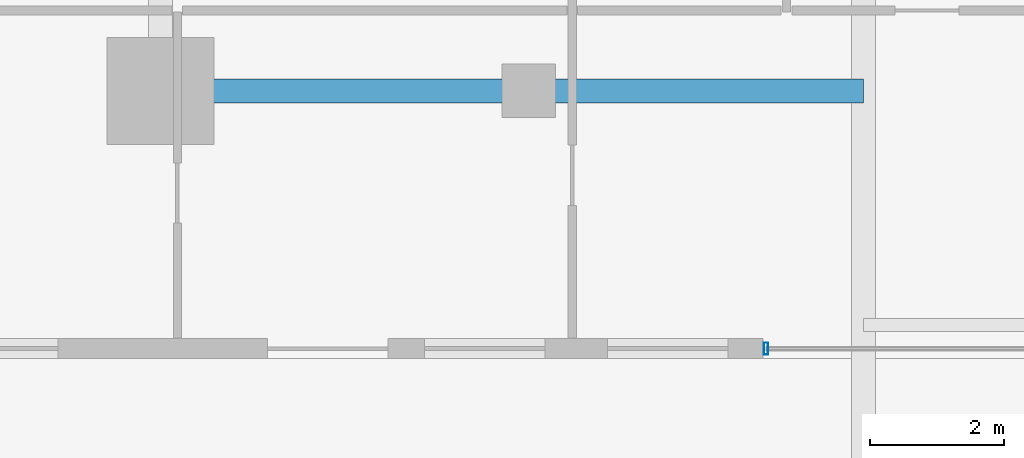
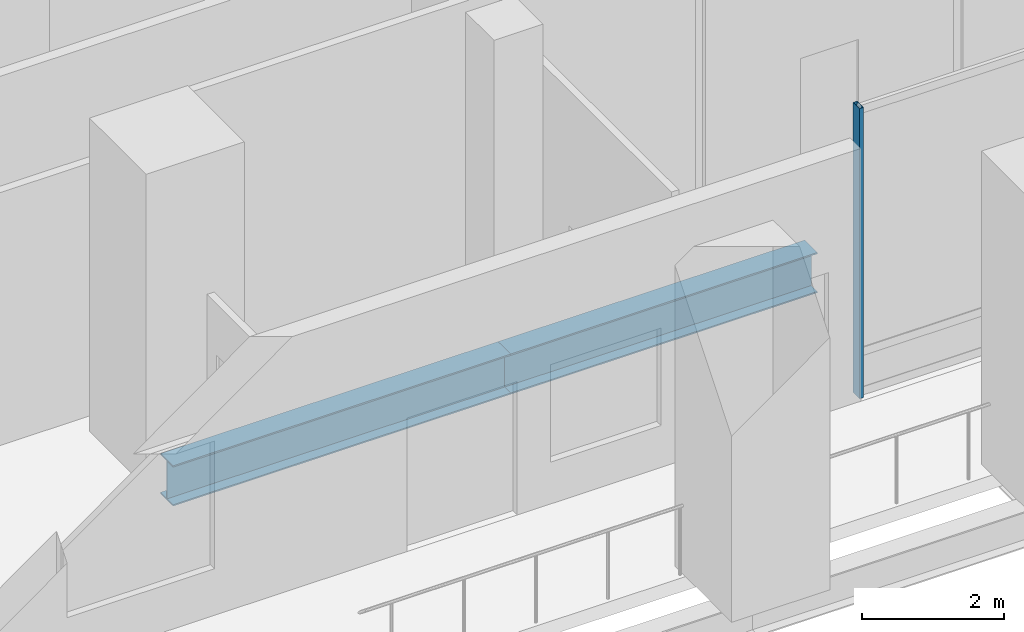
# One storey, part 3 of 25: 2 beams, 1 member, 1 element without a shape of its own.
"""IFC4 building model written with IfcOpenShell, lengths in metres."""

from ifc_helpers import new_model, si_unit, direction, frame, origin, origin_2d, place, context, subcontext, project, spatial, hollow_rectangle, i_section, extrude, material, layer, layer_set, material_profile, profile_set, type_object, element, aggregate, save


model = new_model("IFC4")

# Units and contexts
model_context = context("Model", 3, precision=1e-05, world=origin(), true_north=direction((0.0, 1.0)))
body_context = subcontext(model_context, "Body", "Model", "MODEL_VIEW")
ifc_project = project(units=[si_unit("LENGTHUNIT", "METRE"), si_unit("AREAUNIT", "SQUARE_METRE"), si_unit("VOLUMEUNIT", "CUBIC_METRE"), si_unit("PLANEANGLEUNIT", "RADIAN"), si_unit("MASSUNIT", "GRAM", prefix="KILO")], contexts=[model_context])

# Site, building, storey
site_placement = place(None, origin())
site = spatial("IfcSite", under=ifc_project, at=site_placement, CompositionType="ELEMENT")
building_placement = place(site_placement, origin())
building = spatial("IfcBuilding", under=site, at=building_placement, Name="Barlavira Tower and Art Museum", CompositionType="ELEMENT")
storey_placement = place(building_placement, frame((0.0, 0.0, 22.199951171875)))
storey = spatial("IfcBuildingStorey", under=building, at=storey_placement, Name="L04", CompositionType="ELEMENT", Elevation=22.199951171875)

# Curtain wall, member
ifc_material_1 = material(Name="Low-iron coastal laminated glass", Category="glass")
ifc_layer = layer(ifc_material_1, 0.179931640625, Name="Low-iron coastal laminated glass")
ifc_layer_set = layer_set([ifc_layer], Name="Low-iron coastal laminated glass")
curtain_wall_type = type_object("IfcCurtainWallType", Name="Pale-Metal Unitised Curtain Wall Zone 1", PredefinedType="NOTDEFINED", material=ifc_layer_set)
curtain_wall_placement = place(storey_placement, origin())
curtain_wall = element("IfcCurtainWall", 1, at=curtain_wall_placement, inside=storey, type_object=curtain_wall_type, Name="L04 Curtain Wall CW1-L04-S", PredefinedType="NOTDEFINED")
ifc_material_2 = material(Name="Pale anodised aluminium", Category="aluminium")
ifc_material_profile_1 = material_profile(ifc_material_2, hollow_rectangle(XDim=0.06494140625, YDim=0.179931640625, WallThickness=0.00390625, at=origin_2d()), Name="ALU-MULL 65x180x4")
ifc_profile_set_1 = profile_set([ifc_material_profile_1], Name="Pale anodised aluminium")
member_type = type_object("IfcMemberType", Name="Curtain Wall Pale-Metal Mullion 65x180", PredefinedType="MULLION", material=ifc_profile_set_1)
member_placement = place(storey_placement, frame((-7.955078125, -16.85009765625, 0.0), z_axis=(0.0, 0.0, 1.0), x_axis=(1.0, 0.0, 0.0)))
member = element("IfcMember", 2, at=member_placement, type_object=member_type, Name="CW1-L04-S Mullion 0", PredefinedType="MULLION", context=body_context, shape_type="SweptSolid", body=[
    extrude(hollow_rectangle(XDim=0.06494140625, YDim=0.179931640625, WallThickness=0.00390625, at=origin_2d()), origin(), (0.0, 0.0, 1.0), 5.0),
])
aggregate(curtain_wall, [member])

# Beams
ifc_material_3 = material(Name="Steel S355", Category="steel")
ifc_material_profile_2 = material_profile(ifc_material_3, i_section(OverallWidth=0.35595703125, OverallDepth=0.695068359375, WebThickness=0.014892578125, FlangeThickness=0.023681640625, at=origin_2d()), Name="W690x192.0")
ifc_profile_set_2 = profile_set([ifc_material_profile_2], Name="Steel S355")
beam_type = type_object("IfcBeamType", Name="Podium Primary Girder W690x192 Steel S355", PredefinedType="BEAM", material=ifc_profile_set_2)
beam_1_placement = place(storey_placement, frame((-17.0, -13.0, -0.62744140625), z_axis=(1.0, 0.0, 0.0), x_axis=(0.0, 1.0, 0.0)))
element("IfcBeam", 3, at=beam_1_placement, inside=storey, type_object=beam_type, Name="L04 Girder I-S1", PredefinedType="BEAM", context=body_context, shape_type="SweptSolid", body=[
    extrude(i_section(OverallWidth=0.35595703125, OverallDepth=0.695068359375, WebThickness=0.014892578125, FlangeThickness=0.023681640625, at=origin_2d()), origin(), (0.0, 0.0, 1.0), 5.5),
])
beam_2_placement = place(storey_placement, frame((-11.5, -13.0, -0.62744140625), z_axis=(1.0, 0.0, 0.0), x_axis=(0.0, 1.0, 0.0)))
element("IfcBeam", 4, at=beam_2_placement, inside=storey, type_object=beam_type, Name="L04 Girder I-S2", PredefinedType="BEAM", context=body_context, shape_type="SweptSolid", body=[
    extrude(i_section(OverallWidth=0.35595703125, OverallDepth=0.695068359375, WebThickness=0.014892578125, FlangeThickness=0.023681640625, at=origin_2d()), origin(), (0.0, 0.0, 1.0), 5.0),
])

save(model, "model.ifc")
